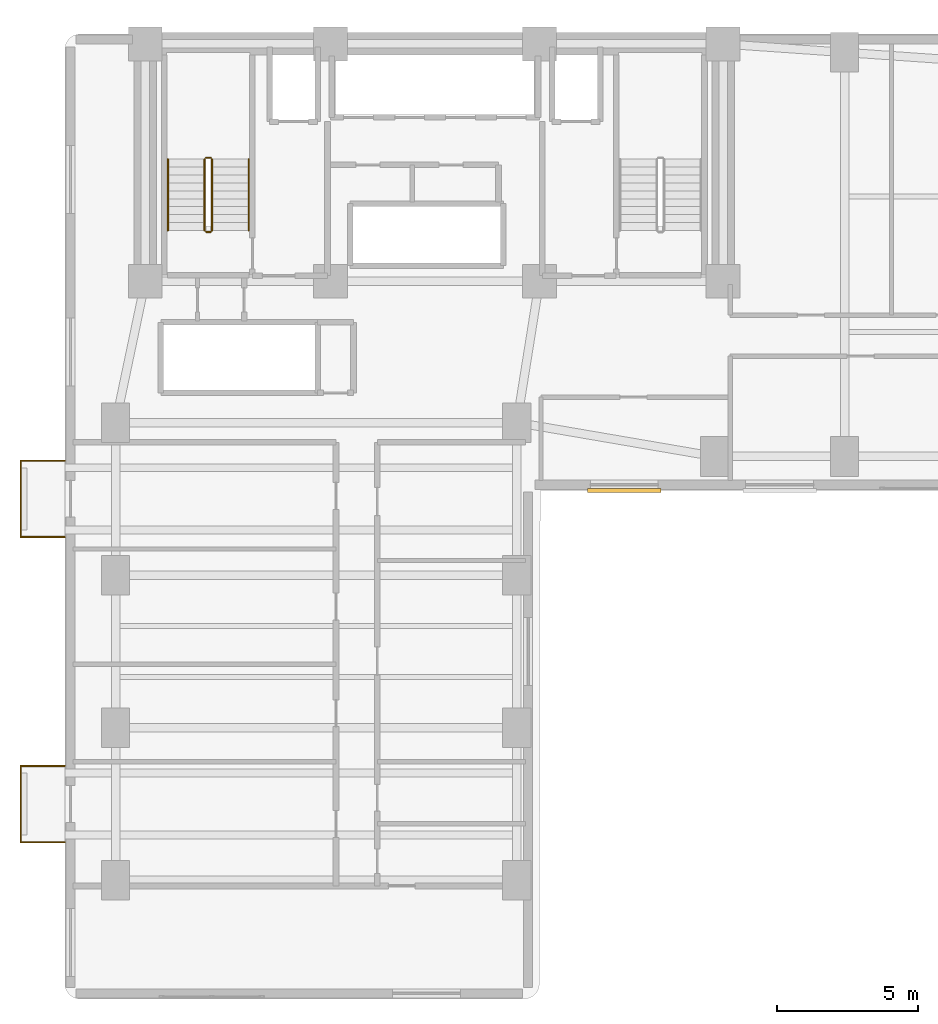
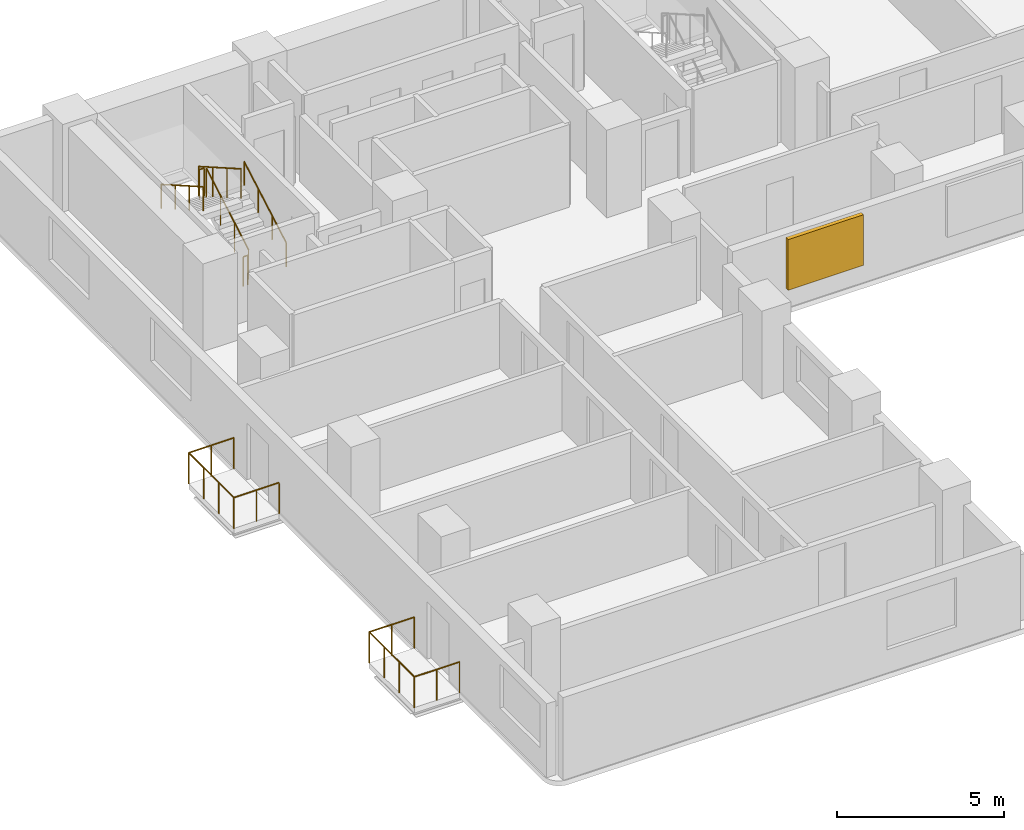
# One storey, part 14 of 17: 12 railings, 1 shading device.
"""IFC4 building model written with IfcOpenShell, lengths in metres."""

import ifcopenshell
import ifcopenshell.guid

model = None  # the IFC model being written
_history = None  # IfcOwnerHistory: only IFC2X3 demands one
_inside = {}  # id of a spatial element -> (the spatial element, [elements in it])
_under = {}  # id of a project, library or spatial element -> (it, [spatial elements below it])
_declared = {}  # id of a project -> (the project, [libraries it declares])
_typed = {}  # id of a type object -> (the type object, [elements of that type])
_made_of = {}  # id of a material, layer set ... -> (it, [elements and type objects made of it])


def new_model(schema):
    """Start an empty IFC model of exactly this schema.

    Asked for "IFC4X3", IfcOpenShell would pick the latest addendum, in which some entities
    have other attributes; the version numbers below select the first issue.
    IFC2X3 requires an IfcOwnerHistory on every rooted entity: one is made here for all.
    """
    global model, _history
    if schema == "IFC4X3":
        model = ifcopenshell.file(schema_version=(4, 3, 0, 0))
    else:
        model = ifcopenshell.file(schema=schema)
    _inside.clear()
    _under.clear()
    _declared.clear()
    _typed.clear()
    _made_of.clear()
    _history = None
    if model.schema == "IFC2X3":
        org = make("IfcOrganization", Name="unknown")
        user = make(
            "IfcPersonAndOrganization",
            ThePerson=make("IfcPerson", FamilyName="unknown"),
            TheOrganization=org,
        )
        app = make(
            "IfcApplication",
            ApplicationDeveloper=org,
            Version="unknown",
            ApplicationFullName="unknown",
            ApplicationIdentifier="unknown",
        )
        _history = make(
            "IfcOwnerHistory",
            OwningUser=user,
            OwningApplication=app,
            ChangeAction="ADDED",
            CreationDate=0,
        )
    return model


def make(cls, **values):
    """One entity of the class cls with the attributes given. An attribute that is None is left unset."""
    return model.create_entity(
        cls, **{name: value for name, value in values.items() if value is not None}
    )


def rooted(cls, **values):
    """An entity with a GlobalId (a new one), such as an element, a storey or a relation."""
    return make(cls, GlobalId=ifcopenshell.guid.new(), OwnerHistory=_history, **values)


def si_unit(unit_type, name, prefix=None):
    """IfcSIUnit, for example si_unit("LENGTHUNIT", "METRE", prefix="MILLI")."""
    return make("IfcSIUnit", UnitType=unit_type, Prefix=prefix, Name=name)


def assignment(units):
    """IfcUnitAssignment: the units of a project."""
    return None if units is None else make("IfcUnitAssignment", Units=units)


def point(xyz):
    """IfcCartesianPoint."""
    return None if xyz is None else make("IfcCartesianPoint", Coordinates=xyz)


def direction(xyz):
    """IfcDirection."""
    return None if xyz is None else make("IfcDirection", DirectionRatios=xyz)


def frame(location, z_axis=None, x_axis=None):
    """IfcAxis2Placement3D, a coordinate frame: its origin and axes. An axis left out is left unset."""
    return make(
        "IfcAxis2Placement3D",
        Location=point(location),
        Axis=direction(z_axis),
        RefDirection=direction(x_axis),
    )


def frame_2d(location, x_axis=None):
    """IfcAxis2Placement2D, a coordinate frame in the plane: its origin and x axis."""
    return make(
        "IfcAxis2Placement2D", Location=point(location), RefDirection=direction(x_axis)
    )


def origin():
    """The frame at (0, 0, 0) with its axes left unset."""
    return frame((0.0, 0.0, 0.0))


def origin_2d():
    """The frame at (0, 0) in the plane with its x axis left unset."""
    return frame_2d((0.0, 0.0))


def place(relative_to, where):
    """IfcLocalPlacement: puts the frame where relative to a parent placement (None: the world)."""
    return make(
        "IfcLocalPlacement", PlacementRelTo=relative_to, RelativePlacement=where
    )


def context(
    kind, dimensions, precision=None, world=None, true_north=None, identifier=None
):
    """IfcGeometricRepresentationContext, for example the 3D "Model" context."""
    return make(
        "IfcGeometricRepresentationContext",
        ContextIdentifier=identifier,
        ContextType=kind,
        CoordinateSpaceDimension=dimensions,
        Precision=precision,
        WorldCoordinateSystem=world,
        TrueNorth=true_north,
    )


def subcontext(parent, identifier, kind, view, scale=None):
    """IfcGeometricRepresentationSubContext, for example "Body" below "Model"."""
    return make(
        "IfcGeometricRepresentationSubContext",
        ContextIdentifier=identifier,
        ContextType=kind,
        ParentContext=parent,
        TargetScale=scale,
        TargetView=view,
    )


def project(units=None, contexts=None):
    """IfcProject with its units and contexts."""
    return rooted(
        "IfcProject",
        Name="project",
        RepresentationContexts=contexts,
        UnitsInContext=assignment(units),
    )


def spatial(cls, under=None, at=None, **own):
    """A site, building, storey or space (cls), placed at a placement, below another one or the project."""
    s = rooted(cls, ObjectPlacement=at, **own)
    if under is not None:
        _under.setdefault(under.id(), (under, []))[1].append(s)
    return s


def profile(cls, at=None, kind="AREA", **sizes):
    """A parametric profile (cls). Its sizes go by their IFC names, for example OverallWidth=200.0."""
    return make(cls, ProfileType=kind, Position=at, **sizes)


def rectangle(**sizes):
    """IfcRectangleProfileDef."""
    return profile("IfcRectangleProfileDef", **sizes)


def circle(**sizes):
    """IfcCircleProfileDef."""
    return profile("IfcCircleProfileDef", **sizes)


def extrude(swept, where, along, depth):
    """IfcExtrudedAreaSolid: the profile swept, set in the frame where, extruded along a direction by depth."""
    return make(
        "IfcExtrudedAreaSolid",
        SweptArea=swept,
        Position=where,
        ExtrudedDirection=direction(along),
        Depth=depth,
    )


def shape(context_of_items, identifier, shape_type, items):
    """IfcShapeRepresentation: the items that make up one representation, for example the "Body"."""
    return make(
        "IfcShapeRepresentation",
        ContextOfItems=context_of_items,
        RepresentationIdentifier=identifier,
        RepresentationType=shape_type,
        Items=items,
    )


def material(Name=None, Category=None):
    """IfcMaterial."""
    return make("IfcMaterial", Name=Name, Category=Category)


def layer(
    of_material, thickness, ventilated=None, Name=None, Category=None, Priority=None
):
    """IfcMaterialLayer: one layer of a wall or slab, of a material (None: an air gap)."""
    return make(
        "IfcMaterialLayer",
        Material=of_material,
        LayerThickness=thickness,
        IsVentilated=ventilated,
        Name=Name,
        Category=Category,
        Priority=Priority,
    )


def layer_set(layers, Name=None):
    """IfcMaterialLayerSet."""
    return make("IfcMaterialLayerSet", MaterialLayers=layers, LayerSetName=Name)


def made_of(thing, what):
    """Note that an element or type object is made of a material, layer set ...; save() writes the relation."""
    if what is not None:
        _made_of.setdefault(what.id(), (what, []))[1].append(thing)
    return thing


def type_object(cls, material=None, **own):
    """A type object (cls), such as IfcWallType, which elements share."""
    return made_of(rooted(cls, **own), material)


def element(
    cls,
    number,
    at=None,
    inside=None,
    cuts=None,
    type_object=None,
    material=None,
    context=None,
    identifier="Body",
    shape_type=None,
    held_by="IfcProductDefinitionShape",
    body=None,
    shapes=None,
    **own,
):
    """One element of the class cls, such as IfcWall. Its Tag is "e" and its number.

    at: its placement. inside: the storey or other place that contains it. cuts: it is an
    opening in that element (IfcRelVoidsElement). A single representation is given by context,
    identifier, shape_type and body (its items); several are given by shapes. held_by: the class
    of the entity that holds the representations. save() writes the other relations.
    """
    e = rooted(cls, Tag="e%d" % number, ObjectPlacement=at, **own)
    if body is not None:
        shapes = [shape(context, identifier, shape_type, body)]
    if shapes is not None:
        e.Representation = make(held_by, Representations=shapes)
    if inside is not None:
        _inside.setdefault(inside.id(), (inside, []))[1].append(e)
    if cuts is not None:
        rooted(
            "IfcRelVoidsElement", RelatingBuildingElement=cuts, RelatedOpeningElement=e
        )
    if type_object is not None:
        _typed.setdefault(type_object.id(), (type_object, []))[1].append(e)
    return made_of(e, material)


def aggregate(whole, parts):
    """IfcRelAggregates: a whole, such as a stair, and the parts it consists of."""
    return rooted("IfcRelAggregates", RelatingObject=whole, RelatedObjects=parts)


def save(model, path):
    """Write the relations noted so far, then the file.

    IfcRelAggregates (storeys below a building ...), IfcRelContainedInSpatialStructure (elements
    in a storey), IfcRelDefinesByType, IfcRelAssociatesMaterial and IfcRelDeclares: one each for
    every whole, place, type object, material and project.
    """
    for whole, parts in _under.values():
        aggregate(whole, parts)
    for where, things in _inside.values():
        rooted(
            "IfcRelContainedInSpatialStructure",
            RelatedElements=things,
            RelatingStructure=where,
        )
    for kind, things in _typed.values():
        rooted("IfcRelDefinesByType", RelatedObjects=things, RelatingType=kind)
    for what, things in _made_of.values():
        rooted("IfcRelAssociatesMaterial", RelatedObjects=things, RelatingMaterial=what)
    for by, libraries in _declared.values():
        rooted("IfcRelDeclares", RelatingContext=by, RelatedDefinitions=libraries)
    model.write(path)


model = new_model("IFC4")

# Units and contexts
model_context = context("Model", 3, precision=1e-05, world=origin(), true_north=direction((0.0, 1.0)))
body_context = subcontext(model_context, "Body", "Model", "MODEL_VIEW")
ifc_project = project(units=[si_unit("LENGTHUNIT", "METRE"), si_unit("AREAUNIT", "SQUARE_METRE"), si_unit("VOLUMEUNIT", "CUBIC_METRE"), si_unit("PLANEANGLEUNIT", "RADIAN"), si_unit("MASSUNIT", "GRAM", prefix="KILO")], contexts=[model_context])

# Site, building, storey
site_placement = place(None, origin())
site = spatial("IfcSite", under=ifc_project, at=site_placement, CompositionType="ELEMENT")
building_placement = place(site_placement, origin())
building = spatial("IfcBuilding", under=site, at=building_placement, Name="Kuzgunbayir Cultural Tower", CompositionType="ELEMENT")
storey_placement = place(building_placement, frame((0.0, 0.0, 43.60009765625)))
storey = spatial("IfcBuildingStorey", under=building, at=storey_placement, Name="L11", CompositionType="ELEMENT", Elevation=43.60009765625)

# Railings
ifc_material_1 = material(Name="Laminated Glass and Stainless Steel", Category="steel")
ifc_layer_1 = layer(ifc_material_1, 0.080078125)
ifc_layer_set_1 = layer_set([ifc_layer_1], Name="Laminated Glass and Stainless Steel")
railing_type_1 = type_object("IfcRailingType", Name="RLG-BAL-115", PredefinedType="BALUSTRADE", material=ifc_layer_set_1)
railing_1_placement = place(storey_placement, frame((3.60009765625, 13.949951171875, 0.0)))
element("IfcRailing", 1, at=railing_1_placement, inside=storey, type_object=railing_type_1, Name="L11 Balcony Guard BAL-L11-WA1 Segment 1", PredefinedType="BALUSTRADE", context=body_context, shape_type="SweptSolid", body=[
    extrude(circle(Radius=0.02392578125, at=origin_2d()), frame((0.0, 0.0, 1.1259765625), z_axis=(-1.0, 0.0, 0.0), x_axis=(0.0, -1.0, 0.0)), (0.0, 0.0, 1.0), 1.56005859375),
    extrude(circle(Radius=0.02099609375, at=origin_2d()), origin(), (0.0, 0.0, 1.0), 1.101806640625),
    extrude(circle(Radius=0.02099609375, at=origin_2d()), frame((-0.780029296875, 0.0, 0.0)), (0.0, 0.0, 1.0), 1.101806640625),
    extrude(circle(Radius=0.02099609375, at=origin_2d()), frame((-1.56005859375, 0.0, 0.0)), (0.0, 0.0, 1.0), 1.101806640625),
])
railing_2_placement = place(storey_placement, frame((2.0400390625, 13.949951171875, 0.0)))
element("IfcRailing", 2, at=railing_2_placement, inside=storey, type_object=railing_type_1, Name="L11 Balcony Guard BAL-L11-WA1 Segment 2", PredefinedType="BALUSTRADE", context=body_context, shape_type="SweptSolid", body=[
    extrude(circle(Radius=0.02392578125, at=origin_2d()), frame((0.0, 0.0, 1.1259765625), z_axis=(0.0, 1.0, 0.0), x_axis=(-1.0, 0.0, 0.0)), (0.0, 0.0, 1.0), 2.699951171875),
    extrude(circle(Radius=0.02099609375, at=origin_2d()), origin(), (0.0, 0.0, 1.0), 1.101806640625),
    extrude(circle(Radius=0.02099609375, at=origin_2d()), frame((0.0, 0.89990234375, 0.0)), (0.0, 0.0, 1.0), 1.101806640625),
    extrude(circle(Radius=0.02099609375, at=origin_2d()), frame((0.0, 1.800048828125, 0.0)), (0.0, 0.0, 1.0), 1.101806640625),
    extrude(circle(Radius=0.02099609375, at=origin_2d()), frame((0.0, 2.699951171875, 0.0)), (0.0, 0.0, 1.0), 1.101806640625),
])
railing_3_placement = place(storey_placement, frame((2.0400390625, 16.64990234375, 0.0)))
element("IfcRailing", 3, at=railing_3_placement, inside=storey, type_object=railing_type_1, Name="L11 Balcony Guard BAL-L11-WA1 Segment 3", PredefinedType="BALUSTRADE", context=body_context, shape_type="SweptSolid", body=[
    extrude(circle(Radius=0.02392578125, at=origin_2d()), frame((0.0, 0.0, 1.1259765625), z_axis=(1.0, 0.0, 0.0), x_axis=(0.0, 1.0, 0.0)), (0.0, 0.0, 1.0), 1.56005859375),
    extrude(circle(Radius=0.02099609375, at=origin_2d()), origin(), (0.0, 0.0, 1.0), 1.101806640625),
    extrude(circle(Radius=0.02099609375, at=origin_2d()), frame((0.780029296875, 0.0, 0.0)), (0.0, 0.0, 1.0), 1.101806640625),
    extrude(circle(Radius=0.02099609375, at=origin_2d()), frame((1.56005859375, 0.0, 0.0)), (0.0, 0.0, 1.0), 1.101806640625),
])
railing_4_placement = place(storey_placement, frame((3.60009765625, 24.75, 0.0)))
element("IfcRailing", 4, at=railing_4_placement, inside=storey, type_object=railing_type_1, Name="L11 Balcony Guard BAL-L11-WA3 Segment 1", PredefinedType="BALUSTRADE", context=body_context, shape_type="SweptSolid", body=[
    extrude(circle(Radius=0.02392578125, at=origin_2d()), frame((0.0, 0.0, 1.1259765625), z_axis=(-1.0, 0.0, 0.0), x_axis=(0.0, -1.0, 0.0)), (0.0, 0.0, 1.0), 1.56005859375),
    extrude(circle(Radius=0.02099609375, at=origin_2d()), origin(), (0.0, 0.0, 1.0), 1.101806640625),
    extrude(circle(Radius=0.02099609375, at=origin_2d()), frame((-0.780029296875, 0.0, 0.0)), (0.0, 0.0, 1.0), 1.101806640625),
    extrude(circle(Radius=0.02099609375, at=origin_2d()), frame((-1.56005859375, 0.0, 0.0)), (0.0, 0.0, 1.0), 1.101806640625),
])
railing_5_placement = place(storey_placement, frame((2.0400390625, 24.75, 0.0)))
element("IfcRailing", 5, at=railing_5_placement, inside=storey, type_object=railing_type_1, Name="L11 Balcony Guard BAL-L11-WA3 Segment 2", PredefinedType="BALUSTRADE", context=body_context, shape_type="SweptSolid", body=[
    extrude(circle(Radius=0.02392578125, at=origin_2d()), frame((0.0, 0.0, 1.1259765625), z_axis=(0.0, 1.0, 0.0), x_axis=(-1.0, 0.0, 0.0)), (0.0, 0.0, 1.0), 2.699951171875),
    extrude(circle(Radius=0.02099609375, at=origin_2d()), origin(), (0.0, 0.0, 1.0), 1.101806640625),
    extrude(circle(Radius=0.02099609375, at=origin_2d()), frame((0.0, 0.89990234375, 0.0)), (0.0, 0.0, 1.0), 1.101806640625),
    extrude(circle(Radius=0.02099609375, at=origin_2d()), frame((0.0, 1.800048828125, 0.0)), (0.0, 0.0, 1.0), 1.101806640625),
    extrude(circle(Radius=0.02099609375, at=origin_2d()), frame((0.0, 2.699951171875, 0.0)), (0.0, 0.0, 1.0), 1.101806640625),
])
railing_6_placement = place(storey_placement, frame((2.0400390625, 27.449951171875, 0.0)))
element("IfcRailing", 6, at=railing_6_placement, inside=storey, type_object=railing_type_1, Name="L11 Balcony Guard BAL-L11-WA3 Segment 3", PredefinedType="BALUSTRADE", context=body_context, shape_type="SweptSolid", body=[
    extrude(circle(Radius=0.02392578125, at=origin_2d()), frame((0.0, 0.0, 1.1259765625), z_axis=(1.0, 0.0, 0.0), x_axis=(0.0, 1.0, 0.0)), (0.0, 0.0, 1.0), 1.56005859375),
    extrude(circle(Radius=0.02099609375, at=origin_2d()), origin(), (0.0, 0.0, 1.0), 1.101806640625),
    extrude(circle(Radius=0.02099609375, at=origin_2d()), frame((0.780029296875, 0.0, 0.0)), (0.0, 0.0, 1.0), 1.101806640625),
    extrude(circle(Radius=0.02099609375, at=origin_2d()), frame((1.56005859375, 0.0, 0.0)), (0.0, 0.0, 1.0), 1.101806640625),
])
ifc_material_2 = material(Name="Brushed Stainless Steel", Category="steel")
ifc_layer_2 = layer(ifc_material_2, 0.050048828125)
ifc_layer_set_2 = layer_set([ifc_layer_2], Name="Brushed Stainless Steel")
railing_type_2 = type_object("IfcRailingType", Name="RLG-STAIR-HANDRAIL", PredefinedType="HANDRAIL", material=ifc_layer_set_2)
railing_7_placement = place(storey_placement, frame((10.110107421875, 35.60009765625, 0.159912109375)))
element("IfcRailing", 7, at=railing_7_placement, inside=storey, type_object=railing_type_2, Name="L11 ST-1 stair handrail 1", PredefinedType="HANDRAIL", context=body_context, shape_type="SweptSolid", body=[
    extrude(circle(Radius=0.02392578125, at=origin_2d()), frame((0.0, 0.0, 0.8759765625), z_axis=(0.0, 0.868253494771, 0.496120820787), x_axis=(-1.0, 0.0, 0.0)), (0.0, 0.0, 1.0), 2.90234375),
    extrude(circle(Radius=0.02099609375, at=origin_2d()), origin(), (0.0, 0.0, 1.0), 0.851806640625),
    extrude(circle(Radius=0.02099609375, at=origin_2d()), frame((0.0, 0.840087890625, 0.47998046875)), (0.0, 0.0, 1.0), 0.851806640625),
    extrude(circle(Radius=0.02099609375, at=origin_2d()), frame((0.0, 1.679931640625, 0.9599609375)), (0.0, 0.0, 1.0), 0.851806640625),
    extrude(circle(Radius=0.02099609375, at=origin_2d()), frame((0.0, 2.52001953125, 1.43994140625)), (0.0, 0.0, 1.0), 0.851806640625),
])
railing_8_placement = place(storey_placement, frame((7.25, 38.1201171875, 1.760009765625)))
element("IfcRailing", 8, at=railing_8_placement, inside=storey, type_object=railing_type_2, Name="L11 ST-1 stair handrail 2", PredefinedType="HANDRAIL", context=body_context, shape_type="SweptSolid", body=[
    extrude(circle(Radius=0.02392578125, at=origin_2d()), frame((0.0, 0.0, 0.8759765625), z_axis=(0.0, -0.868253494771, 0.496120820787), x_axis=(1.0, 0.0, 0.0)), (0.0, 0.0, 1.0), 2.90234375),
    extrude(circle(Radius=0.02099609375, at=origin_2d()), origin(), (0.0, 0.0, 1.0), 0.851806640625),
    extrude(circle(Radius=0.02099609375, at=origin_2d()), frame((0.0, -0.840087890625, 0.47998046875)), (0.0, 0.0, 1.0), 0.851806640625),
    extrude(circle(Radius=0.02099609375, at=origin_2d()), frame((0.0, -1.679931640625, 0.9599609375)), (0.0, 0.0, 1.0), 0.851806640625),
    extrude(circle(Radius=0.02099609375, at=origin_2d()), frame((0.0, -2.52001953125, 1.43994140625)), (0.0, 0.0, 1.0), 0.851806640625),
])
ifc_material_3 = material(Name="Painted Steel Balustrade", Category="steel")
ifc_layer_3 = layer(ifc_material_3, 0.06005859375)
ifc_layer_set_3 = layer_set([ifc_layer_3], Name="Painted Steel Balustrade")
railing_type_3 = type_object("IfcRailingType", Name="RLG-WELL-GUARD", PredefinedType="GUARDRAIL", material=ifc_layer_set_3)
railing_9_placement = place(storey_placement, frame((8.81005859375, 35.60009765625, 0.159912109375)))
element("IfcRailing", 9, at=railing_9_placement, inside=storey, type_object=railing_type_3, Name="L11 ST-1 stair guard 1", PredefinedType="GUARDRAIL", context=body_context, shape_type="SweptSolid", body=[
    extrude(circle(Radius=0.02392578125, at=origin_2d()), frame((0.0, 0.0, 1.076171875), z_axis=(0.0, 0.868253494771, 0.496120820787), x_axis=(-1.0, 0.0, 0.0)), (0.0, 0.0, 1.0), 2.90234375),
    extrude(circle(Radius=0.02099609375, at=origin_2d()), origin(), (0.0, 0.0, 1.0), 1.052001953125),
    extrude(circle(Radius=0.02099609375, at=origin_2d()), frame((0.0, 0.840087890625, 0.47998046875)), (0.0, 0.0, 1.0), 1.052001953125),
    extrude(circle(Radius=0.02099609375, at=origin_2d()), frame((0.0, 1.679931640625, 0.9599609375)), (0.0, 0.0, 1.0), 1.052001953125),
    extrude(circle(Radius=0.02099609375, at=origin_2d()), frame((0.0, 2.52001953125, 1.43994140625)), (0.0, 0.0, 1.0), 1.052001953125),
])
railing_10_placement = place(storey_placement, frame((8.760009765625, 38.169921875, 1.599853515625)))
element("IfcRailing", 10, at=railing_10_placement, inside=storey, type_object=railing_type_3, Name="L11 ST-1 stair guard 2", PredefinedType="GUARDRAIL", context=body_context, shape_type="SweptSolid", body=[
    extrude(circle(Radius=0.02392578125, at=origin_2d()), frame((0.0, 0.0, 1.076171875), z_axis=(-1.0, 0.0, 0.0), x_axis=(0.0, -1.0, 0.0)), (0.0, 0.0, 1.0), 0.159912109375),
    extrude(circle(Radius=0.02099609375, at=origin_2d()), origin(), (0.0, 0.0, 1.0), 1.052001953125),
    extrude(circle(Radius=0.02099609375, at=origin_2d()), frame((-0.159912109375, 0.0, 0.0)), (0.0, 0.0, 1.0), 1.052001953125),
])
railing_11_placement = place(storey_placement, frame((8.550048828125, 38.1201171875, 1.760009765625)))
element("IfcRailing", 11, at=railing_11_placement, inside=storey, type_object=railing_type_3, Name="L11 ST-1 stair guard 3", PredefinedType="GUARDRAIL", context=body_context, shape_type="SweptSolid", body=[
    extrude(circle(Radius=0.02392578125, at=origin_2d()), frame((0.0, 0.0, 1.076171875), z_axis=(0.0, -0.868253494771, 0.496120820787), x_axis=(1.0, 0.0, 0.0)), (0.0, 0.0, 1.0), 2.90234375),
    extrude(circle(Radius=0.02099609375, at=origin_2d()), origin(), (0.0, 0.0, 1.0), 1.052001953125),
    extrude(circle(Radius=0.02099609375, at=origin_2d()), frame((0.0, -0.840087890625, 0.47998046875)), (0.0, 0.0, 1.0), 1.052001953125),
    extrude(circle(Radius=0.02099609375, at=origin_2d()), frame((0.0, -1.679931640625, 0.9599609375)), (0.0, 0.0, 1.0), 1.052001953125),
    extrude(circle(Radius=0.02099609375, at=origin_2d()), frame((0.0, -2.52001953125, 1.43994140625)), (0.0, 0.0, 1.0), 1.052001953125),
])
railing_12_placement = place(storey_placement, frame((8.760009765625, 35.550048828125, 0.0)))
element("IfcRailing", 12, at=railing_12_placement, inside=storey, type_object=railing_type_3, Name="L11 ST-1 stair guard 4", PredefinedType="GUARDRAIL", context=body_context, shape_type="SweptSolid", body=[
    extrude(circle(Radius=0.02392578125, at=origin_2d()), frame((0.0, 0.0, 1.076171875), z_axis=(-1.0, 0.0, 0.0), x_axis=(0.0, -1.0, 0.0)), (0.0, 0.0, 1.0), 0.159912109375),
    extrude(circle(Radius=0.02099609375, at=origin_2d()), origin(), (0.0, 0.0, 1.0), 1.052001953125),
    extrude(circle(Radius=0.02099609375, at=origin_2d()), frame((-0.159912109375, 0.0, 0.0)), (0.0, 0.0, 1.0), 1.052001953125),
])

# Shading device
ifc_material_4 = material(Name="Perforated Bronze-Anodised Aluminium", Category="aluminium")
shading_device_type = type_object("IfcShadingDeviceType", Name="SHD-SOLAR-BRONZE", PredefinedType="JALOUSIE", material=ifc_material_4)
shading_device_placement = place(storey_placement, frame((23.39990234375, 26.389892578125, 0.724853515625), z_axis=(0.0, 0.0, 1.0), x_axis=(1.0, 0.0, 0.0)))
element("IfcShadingDevice", 13, at=shading_device_placement, inside=storey, type_object=shading_device_type, Name="L11 Solar Screen WBS6", PredefinedType="JALOUSIE", context=body_context, shape_type="SweptSolid", body=[
    extrude(rectangle(XDim=2.60009765625, YDim=0.139892578125, at=origin_2d()), origin(), (0.0, 0.0, 1.0), 1.85009765625),
])

save(model, "model.ifc")
